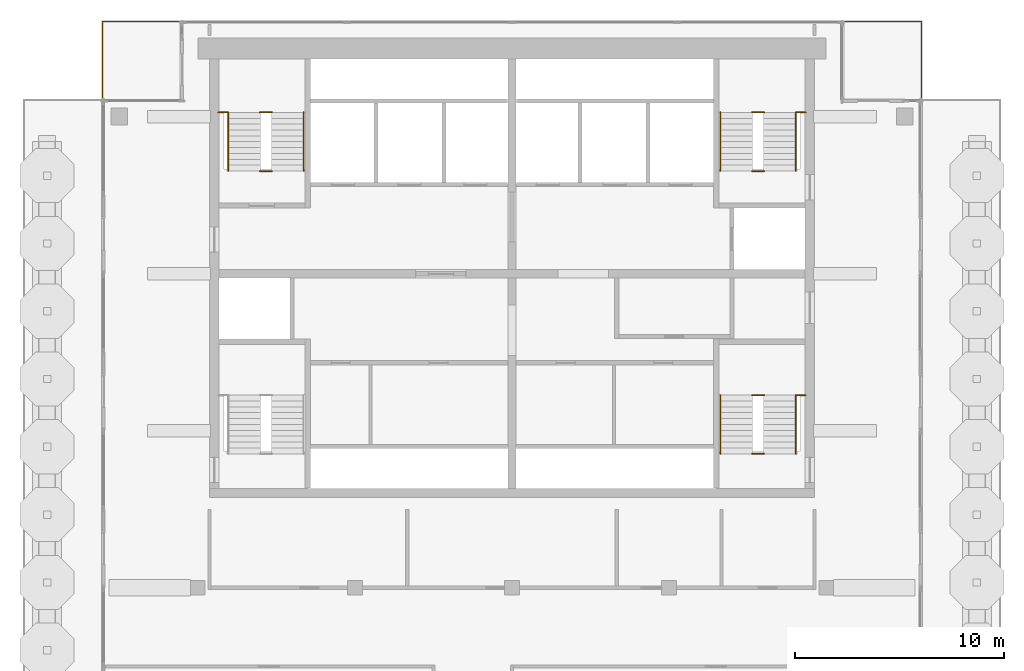
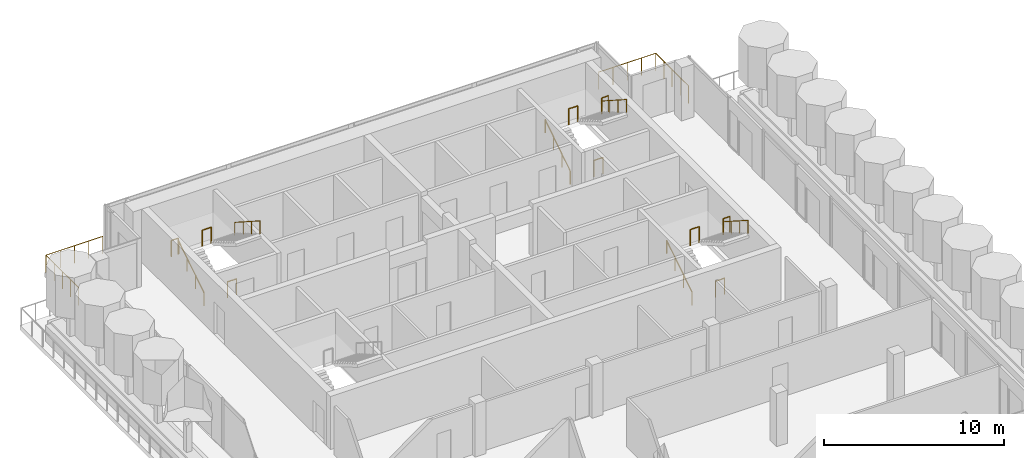
# One storey, part 14 of 15: 17 railings.
"""IFC4 building model written with IfcOpenShell, lengths in metres."""

from ifc_helpers import new_model, si_unit, direction, frame, origin, origin_2d, place, context, subcontext, project, spatial, circle, extrude, material, type_object, element, save


model = new_model("IFC4")

# Units and contexts
model_context = context("Model", 3, precision=1e-05, world=origin(), true_north=direction((0.0, 1.0)))
body_context = subcontext(model_context, "Body", "Model", "MODEL_VIEW")
ifc_project = project(units=[si_unit("LENGTHUNIT", "METRE"), si_unit("AREAUNIT", "SQUARE_METRE"), si_unit("VOLUMEUNIT", "CUBIC_METRE"), si_unit("PLANEANGLEUNIT", "RADIAN"), si_unit("MASSUNIT", "GRAM", prefix="KILO")], contexts=[model_context])

# Site, building, storey
site_placement = place(None, origin())
site = spatial("IfcSite", under=ifc_project, at=site_placement, CompositionType="ELEMENT")
building_placement = place(site_placement, origin())
building = spatial("IfcBuilding", under=site, at=building_placement, Name="Pilkhan Gate Tower", CompositionType="ELEMENT")
storey_placement = place(building_placement, frame((0.0, 0.0, 265.699951171875)))
storey = spatial("IfcBuildingStorey", under=building, at=storey_placement, Name="L69", CompositionType="ELEMENT", Elevation=265.699951171875)

# Railings
ifc_material_1 = material(Name="Black powder-coated steel tube", Category="steel")
railing_type_1 = type_object("IfcRailingType", Name="Stair handrail HR1", PredefinedType="HANDRAIL", material=ifc_material_1)
railing_1_placement = place(storey_placement, frame((84.949951171875, 73.89990234375, 0.0)))
element("IfcRailing", 1, at=railing_1_placement, inside=storey, type_object=railing_type_1, Name="Stair ST1 handrail L69", PredefinedType="HANDRAIL", context=body_context, shape_type="SweptSolid", body=[
    extrude(circle(Radius=0.02392578125, at=origin_2d()), frame((0.0, 0.0, 0.8759765625), z_axis=(0.0, 0.841176092368, 0.540761298198), x_axis=(-1.0, 0.0, 0.0)), (0.0, 0.0, 1.0), 3.32861328125),
    extrude(circle(Radius=0.02099609375, at=origin_2d()), origin(), (0.0, 0.0, 1.0), 0.851806640625),
    extrude(circle(Radius=0.02099609375, at=origin_2d()), frame((0.0, 0.933349609375, 0.60009765625)), (0.0, 0.0, 1.0), 0.851806640625),
    extrude(circle(Radius=0.02099609375, at=origin_2d()), frame((0.0, 1.86669921875, 1.199951171875)), (0.0, 0.0, 1.0), 0.851806640625),
    extrude(circle(Radius=0.02099609375, at=origin_2d()), frame((0.0, 2.800048828125, 1.800048828125)), (0.0, 0.0, 1.0), 0.851806640625),
])
railing_2_placement = place(storey_placement, frame((88.550048828125, 76.699951171875, 1.800048828125)))
element("IfcRailing", 2, at=railing_2_placement, inside=storey, type_object=railing_type_1, Name="Stair ST1 handrail L69", PredefinedType="HANDRAIL", context=body_context, shape_type="SweptSolid", body=[
    extrude(circle(Radius=0.02392578125, at=origin_2d()), frame((0.0, 0.0, 0.8759765625), z_axis=(0.0, -0.841176092368, 0.540761298198), x_axis=(1.0, 0.0, 0.0)), (0.0, 0.0, 1.0), 3.32861328125),
    extrude(circle(Radius=0.02099609375, at=origin_2d()), origin(), (0.0, 0.0, 1.0), 0.851806640625),
    extrude(circle(Radius=0.02099609375, at=origin_2d()), frame((0.0, -0.933349609375, 0.60009765625)), (0.0, 0.0, 1.0), 0.851806640625),
    extrude(circle(Radius=0.02099609375, at=origin_2d()), frame((0.0, -1.86669921875, 1.199951171875)), (0.0, 0.0, 1.0), 0.851806640625),
    extrude(circle(Radius=0.02099609375, at=origin_2d()), frame((0.0, -2.800048828125, 1.800048828125)), (0.0, 0.0, 1.0), 0.851806640625),
])
railing_3_placement = place(storey_placement, frame((61.449951171875, 87.39990234375, 0.0)))
element("IfcRailing", 3, at=railing_3_placement, inside=storey, type_object=railing_type_1, Name="Stair ST3 handrail L69", PredefinedType="HANDRAIL", context=body_context, shape_type="SweptSolid", body=[
    extrude(circle(Radius=0.02392578125, at=origin_2d()), frame((0.0, 0.0, 0.8759765625), z_axis=(0.0, 0.841176092368, 0.540761298198), x_axis=(-1.0, 0.0, 0.0)), (0.0, 0.0, 1.0), 3.32861328125),
    extrude(circle(Radius=0.02099609375, at=origin_2d()), origin(), (0.0, 0.0, 1.0), 0.851806640625),
    extrude(circle(Radius=0.02099609375, at=origin_2d()), frame((0.0, 0.933349609375, 0.60009765625)), (0.0, 0.0, 1.0), 0.851806640625),
    extrude(circle(Radius=0.02099609375, at=origin_2d()), frame((0.0, 1.86669921875, 1.199951171875)), (0.0, 0.0, 1.0), 0.851806640625),
    extrude(circle(Radius=0.02099609375, at=origin_2d()), frame((0.0, 2.800048828125, 1.800048828125)), (0.0, 0.0, 1.0), 0.851806640625),
])
railing_4_placement = place(storey_placement, frame((65.050048828125, 90.199951171875, 1.800048828125)))
element("IfcRailing", 4, at=railing_4_placement, inside=storey, type_object=railing_type_1, Name="Stair ST3 handrail L69", PredefinedType="HANDRAIL", context=body_context, shape_type="SweptSolid", body=[
    extrude(circle(Radius=0.02392578125, at=origin_2d()), frame((0.0, 0.0, 0.8759765625), z_axis=(0.0, -0.841176092368, 0.540761298198), x_axis=(1.0, 0.0, 0.0)), (0.0, 0.0, 1.0), 3.32861328125),
    extrude(circle(Radius=0.02099609375, at=origin_2d()), origin(), (0.0, 0.0, 1.0), 0.851806640625),
    extrude(circle(Radius=0.02099609375, at=origin_2d()), frame((0.0, -0.933349609375, 0.60009765625)), (0.0, 0.0, 1.0), 0.851806640625),
    extrude(circle(Radius=0.02099609375, at=origin_2d()), frame((0.0, -1.86669921875, 1.199951171875)), (0.0, 0.0, 1.0), 0.851806640625),
    extrude(circle(Radius=0.02099609375, at=origin_2d()), frame((0.0, -2.800048828125, 1.800048828125)), (0.0, 0.0, 1.0), 0.851806640625),
])
railing_5_placement = place(storey_placement, frame((84.949951171875, 87.39990234375, 0.0)))
element("IfcRailing", 5, at=railing_5_placement, inside=storey, type_object=railing_type_1, Name="Stair ST4 handrail L69", PredefinedType="HANDRAIL", context=body_context, shape_type="SweptSolid", body=[
    extrude(circle(Radius=0.02392578125, at=origin_2d()), frame((0.0, 0.0, 0.8759765625), z_axis=(0.0, 0.841176092368, 0.540761298198), x_axis=(-1.0, 0.0, 0.0)), (0.0, 0.0, 1.0), 3.32861328125),
    extrude(circle(Radius=0.02099609375, at=origin_2d()), origin(), (0.0, 0.0, 1.0), 0.851806640625),
    extrude(circle(Radius=0.02099609375, at=origin_2d()), frame((0.0, 0.933349609375, 0.60009765625)), (0.0, 0.0, 1.0), 0.851806640625),
    extrude(circle(Radius=0.02099609375, at=origin_2d()), frame((0.0, 1.86669921875, 1.199951171875)), (0.0, 0.0, 1.0), 0.851806640625),
    extrude(circle(Radius=0.02099609375, at=origin_2d()), frame((0.0, 2.800048828125, 1.800048828125)), (0.0, 0.0, 1.0), 0.851806640625),
])
railing_6_placement = place(storey_placement, frame((88.550048828125, 90.199951171875, 1.800048828125)))
element("IfcRailing", 6, at=railing_6_placement, inside=storey, type_object=railing_type_1, Name="Stair ST4 handrail L69", PredefinedType="HANDRAIL", context=body_context, shape_type="SweptSolid", body=[
    extrude(circle(Radius=0.02392578125, at=origin_2d()), frame((0.0, 0.0, 0.8759765625), z_axis=(0.0, -0.841176092368, 0.540761298198), x_axis=(1.0, 0.0, 0.0)), (0.0, 0.0, 1.0), 3.32861328125),
    extrude(circle(Radius=0.02099609375, at=origin_2d()), origin(), (0.0, 0.0, 1.0), 0.851806640625),
    extrude(circle(Radius=0.02099609375, at=origin_2d()), frame((0.0, -0.933349609375, 0.60009765625)), (0.0, 0.0, 1.0), 0.851806640625),
    extrude(circle(Radius=0.02099609375, at=origin_2d()), frame((0.0, -1.86669921875, 1.199951171875)), (0.0, 0.0, 1.0), 0.851806640625),
    extrude(circle(Radius=0.02099609375, at=origin_2d()), frame((0.0, -2.800048828125, 1.800048828125)), (0.0, 0.0, 1.0), 0.851806640625),
])
ifc_material_2 = material(Name="Black powder-coated steel balusters", Category="steel")
railing_type_2 = type_object("IfcRailingType", Name="Stair well guard G3", PredefinedType="GUARDRAIL", material=ifc_material_2)
railing_7_placement = place(storey_placement, frame((88.580078125, 76.699951171875, 1.800048828125)))
element("IfcRailing", 7, at=railing_7_placement, inside=storey, type_object=railing_type_2, Name="Stair ST1 well guard L69", PredefinedType="GUARDRAIL", context=body_context, shape_type="SweptSolid", body=[
    extrude(circle(Radius=0.02392578125, at=origin_2d()), frame((0.0, 0.0, 1.076171875), z_axis=(1.0, 0.0, 0.0), x_axis=(0.0, 1.0, 0.0)), (0.0, 0.0, 1.0), 0.43994140625),
    extrude(circle(Radius=0.02099609375, at=origin_2d()), origin(), (0.0, 0.0, 1.0), 1.052001953125),
    extrude(circle(Radius=0.02099609375, at=origin_2d()), frame((0.43994140625, 0.0, 0.0)), (0.0, 0.0, 1.0), 1.052001953125),
])
for number, where, name in (
    (8, (86.4599609375, 73.89990234375, 0.0), "Stair ST1 well guard L69"),
    (9, (86.4599609375, 76.699951171875, 1.800048828125), "Stair ST1 well guard L69"),
):
    element("IfcRailing", number, at=place(storey_placement, frame(where)), inside=storey, type_object=railing_type_2, Name=name, PredefinedType="GUARDRAIL", context=body_context, shape_type="SweptSolid", body=[
        extrude(circle(Radius=0.02392578125, at=origin_2d()), frame((0.0, 0.0, 1.076171875), z_axis=(1.0, 0.0, 0.0), x_axis=(0.0, 1.0, 0.0)), (0.0, 0.0, 1.0), 0.580078125),
        extrude(circle(Radius=0.02099609375, at=origin_2d()), origin(), (0.0, 0.0, 1.0), 1.052001953125),
        extrude(circle(Radius=0.02099609375, at=origin_2d()), frame((0.580078125, 0.0, 0.0)), (0.0, 0.0, 1.0), 1.052001953125),
    ])
railing_8_placement = place(storey_placement, frame((60.97998046875, 90.199951171875, 1.800048828125)))
element("IfcRailing", 10, at=railing_8_placement, inside=storey, type_object=railing_type_2, Name="Stair ST3 well guard L69", PredefinedType="GUARDRAIL", context=body_context, shape_type="SweptSolid", body=[
    extrude(circle(Radius=0.02392578125, at=origin_2d()), frame((0.0, 0.0, 1.076171875), z_axis=(1.0, 0.0, 0.0), x_axis=(0.0, 1.0, 0.0)), (0.0, 0.0, 1.0), 0.43994140625),
    extrude(circle(Radius=0.02099609375, at=origin_2d()), origin(), (0.0, 0.0, 1.0), 1.052001953125),
    extrude(circle(Radius=0.02099609375, at=origin_2d()), frame((0.43994140625, 0.0, 0.0)), (0.0, 0.0, 1.0), 1.052001953125),
])
for number, where, name in (
    (11, (62.9599609375, 87.39990234375, 0.0), "Stair ST3 well guard L69"),
    (12, (62.9599609375, 90.199951171875, 1.800048828125), "Stair ST3 well guard L69"),
):
    element("IfcRailing", number, at=place(storey_placement, frame(where)), inside=storey, type_object=railing_type_2, Name=name, PredefinedType="GUARDRAIL", context=body_context, shape_type="SweptSolid", body=[
        extrude(circle(Radius=0.02392578125, at=origin_2d()), frame((0.0, 0.0, 1.076171875), z_axis=(1.0, 0.0, 0.0), x_axis=(0.0, 1.0, 0.0)), (0.0, 0.0, 1.0), 0.580078125),
        extrude(circle(Radius=0.02099609375, at=origin_2d()), origin(), (0.0, 0.0, 1.0), 1.052001953125),
        extrude(circle(Radius=0.02099609375, at=origin_2d()), frame((0.580078125, 0.0, 0.0)), (0.0, 0.0, 1.0), 1.052001953125),
    ])
railing_9_placement = place(storey_placement, frame((88.580078125, 90.199951171875, 1.800048828125)))
element("IfcRailing", 13, at=railing_9_placement, inside=storey, type_object=railing_type_2, Name="Stair ST4 well guard L69", PredefinedType="GUARDRAIL", context=body_context, shape_type="SweptSolid", body=[
    extrude(circle(Radius=0.02392578125, at=origin_2d()), frame((0.0, 0.0, 1.076171875), z_axis=(1.0, 0.0, 0.0), x_axis=(0.0, 1.0, 0.0)), (0.0, 0.0, 1.0), 0.43994140625),
    extrude(circle(Radius=0.02099609375, at=origin_2d()), origin(), (0.0, 0.0, 1.0), 1.052001953125),
    extrude(circle(Radius=0.02099609375, at=origin_2d()), frame((0.43994140625, 0.0, 0.0)), (0.0, 0.0, 1.0), 1.052001953125),
])
for number, where, name in (
    (14, (86.4599609375, 87.39990234375, 0.0), "Stair ST4 well guard L69"),
    (15, (86.4599609375, 90.199951171875, 1.800048828125), "Stair ST4 well guard L69"),
):
    element("IfcRailing", number, at=place(storey_placement, frame(where)), inside=storey, type_object=railing_type_2, Name=name, PredefinedType="GUARDRAIL", context=body_context, shape_type="SweptSolid", body=[
        extrude(circle(Radius=0.02392578125, at=origin_2d()), frame((0.0, 0.0, 1.076171875), z_axis=(1.0, 0.0, 0.0), x_axis=(0.0, 1.0, 0.0)), (0.0, 0.0, 1.0), 0.580078125),
        extrude(circle(Radius=0.02099609375, at=origin_2d()), origin(), (0.0, 0.0, 1.0), 1.052001953125),
        extrude(circle(Radius=0.02099609375, at=origin_2d()), frame((0.580078125, 0.0, 0.0)), (0.0, 0.0, 1.0), 1.052001953125),
    ])
ifc_material_3 = material(Name="Pale anodised aluminium posts, laminated glass infill", Category="aluminium")
railing_type_3 = type_object("IfcRailingType", Name="Terrace guard G2", PredefinedType="BALUSTRADE", material=ifc_material_3)
railing_10_placement = place(storey_placement, frame((55.449951171875, 90.89990234375, 0.0)))
element("IfcRailing", 16, at=railing_10_placement, inside=storey, type_object=railing_type_3, Name="Terrace guard L69", PredefinedType="BALUSTRADE", context=body_context, shape_type="SweptSolid", body=[
    extrude(circle(Radius=0.02392578125, at=origin_2d()), frame((0.0, 0.0, 1.17578125), z_axis=(0.0, 1.0, 0.0), x_axis=(-1.0, 0.0, 0.0)), (0.0, 0.0, 1.0), 3.650146484375),
    extrude(circle(Radius=0.02392578125, at=origin_2d()), frame((0.0, 3.650146484375, 1.17578125), z_axis=(1.0, 0.0, 0.0), x_axis=(0.0, 1.0, 0.0)), (0.0, 0.0, 1.0), 3.650146484375),
    extrude(circle(Radius=0.02099609375, at=origin_2d()), origin(), (0.0, 0.0, 1.0), 1.15185546875),
    extrude(circle(Radius=0.02099609375, at=origin_2d()), frame((0.0, 0.91259765625, 0.0)), (0.0, 0.0, 1.0), 1.15185546875),
    extrude(circle(Radius=0.02099609375, at=origin_2d()), frame((0.0, 1.8251953125, 0.0)), (0.0, 0.0, 1.0), 1.15185546875),
    extrude(circle(Radius=0.02099609375, at=origin_2d()), frame((0.0, 2.737548828125, 0.0)), (0.0, 0.0, 1.0), 1.15185546875),
    extrude(circle(Radius=0.02099609375, at=origin_2d()), frame((0.0, 3.650146484375, 0.0)), (0.0, 0.0, 1.0), 1.15185546875),
    extrude(circle(Radius=0.02099609375, at=origin_2d()), frame((0.91259765625, 3.650146484375, 0.0)), (0.0, 0.0, 1.0), 1.15185546875),
    extrude(circle(Radius=0.02099609375, at=origin_2d()), frame((1.8251953125, 3.650146484375, 0.0)), (0.0, 0.0, 1.0), 1.15185546875),
    extrude(circle(Radius=0.02099609375, at=origin_2d()), frame((2.737548828125, 3.650146484375, 0.0)), (0.0, 0.0, 1.0), 1.15185546875),
    extrude(circle(Radius=0.02099609375, at=origin_2d()), frame((3.650146484375, 3.650146484375, 0.0)), (0.0, 0.0, 1.0), 1.15185546875),
])
railing_11_placement = place(storey_placement, frame((90.89990234375, 94.550048828125, 0.0)))
element("IfcRailing", 17, at=railing_11_placement, inside=storey, type_object=railing_type_3, Name="Terrace guard L69", PredefinedType="BALUSTRADE", context=body_context, shape_type="SweptSolid", body=[
    extrude(circle(Radius=0.02392578125, at=origin_2d()), frame((0.0, 0.0, 1.17578125), z_axis=(1.0, 0.0, 0.0), x_axis=(0.0, 1.0, 0.0)), (0.0, 0.0, 1.0), 3.650146484375),
    extrude(circle(Radius=0.02392578125, at=origin_2d()), frame((3.650146484375, 0.0, 1.17578125), z_axis=(0.0, -1.0, 0.0), x_axis=(1.0, 0.0, 0.0)), (0.0, 0.0, 1.0), 3.650146484375),
    extrude(circle(Radius=0.02099609375, at=origin_2d()), origin(), (0.0, 0.0, 1.0), 1.15185546875),
    extrude(circle(Radius=0.02099609375, at=origin_2d()), frame((0.91259765625, 0.0, 0.0)), (0.0, 0.0, 1.0), 1.15185546875),
    extrude(circle(Radius=0.02099609375, at=origin_2d()), frame((1.8251953125, 0.0, 0.0)), (0.0, 0.0, 1.0), 1.15185546875),
    extrude(circle(Radius=0.02099609375, at=origin_2d()), frame((2.737548828125, 0.0, 0.0)), (0.0, 0.0, 1.0), 1.15185546875),
    extrude(circle(Radius=0.02099609375, at=origin_2d()), frame((3.650146484375, 0.0, 0.0)), (0.0, 0.0, 1.0), 1.15185546875),
    extrude(circle(Radius=0.02099609375, at=origin_2d()), frame((3.650146484375, -0.91259765625, 0.0)), (0.0, 0.0, 1.0), 1.15185546875),
    extrude(circle(Radius=0.02099609375, at=origin_2d()), frame((3.650146484375, -1.8251953125, 0.0)), (0.0, 0.0, 1.0), 1.15185546875),
    extrude(circle(Radius=0.02099609375, at=origin_2d()), frame((3.650146484375, -2.737548828125, 0.0)), (0.0, 0.0, 1.0), 1.15185546875),
    extrude(circle(Radius=0.02099609375, at=origin_2d()), frame((3.650146484375, -3.650146484375, 0.0)), (0.0, 0.0, 1.0), 1.15185546875),
])

save(model, "model.ifc")
